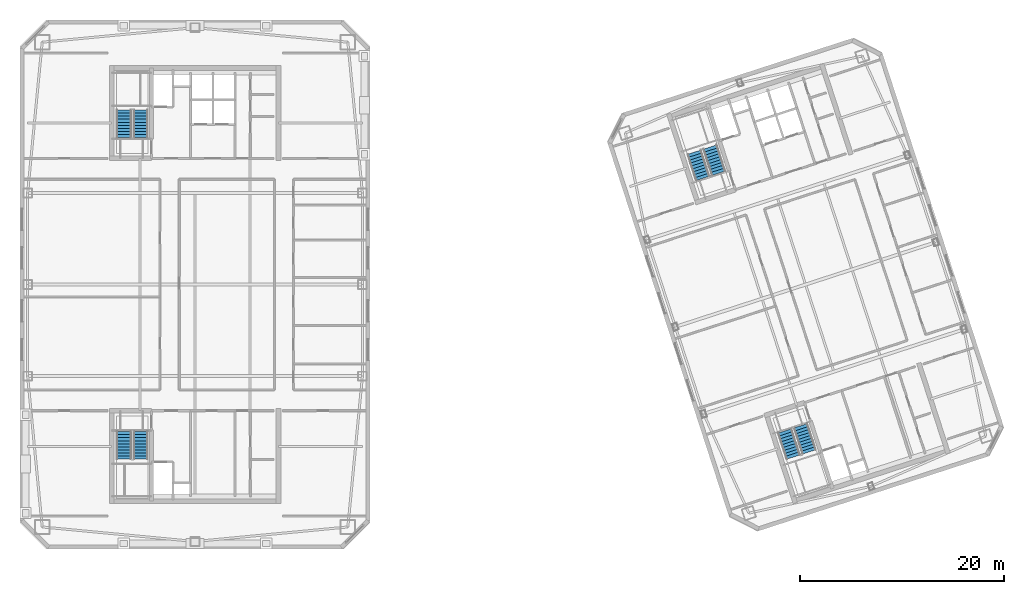
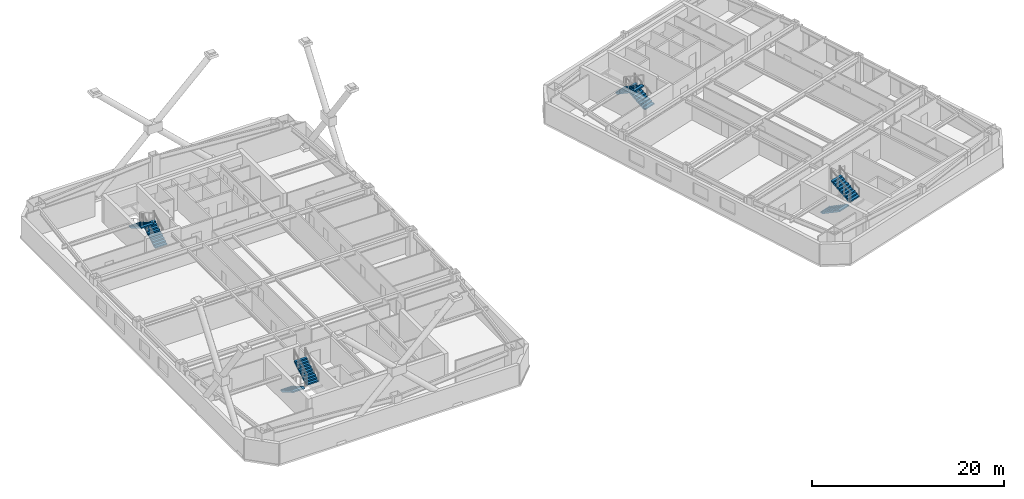
# One storey, part 23 of 25: 8 stair flights, 4 elements without a shape of their own.
"""IFC4 building model written with IfcOpenShell, lengths in metres."""

from ifc_helpers import new_model, si_unit, direction, frame, origin, place, context, subcontext, project, spatial, polyline, outline, extrude, material, type_object, element, aggregate, save


model = new_model("IFC4")

# Units and contexts
model_context = context("Model", 3, precision=1e-05, world=origin(), true_north=direction((0.0, 1.0)))
body_context = subcontext(model_context, "Body", "Model", "MODEL_VIEW")
ifc_project = project(units=[si_unit("LENGTHUNIT", "METRE"), si_unit("AREAUNIT", "SQUARE_METRE"), si_unit("VOLUMEUNIT", "CUBIC_METRE"), si_unit("PLANEANGLEUNIT", "RADIAN"), si_unit("MASSUNIT", "GRAM", prefix="KILO")], contexts=[model_context])

# Site, building, storey
site_placement = place(None, origin())
site = spatial("IfcSite", under=ifc_project, at=site_placement, CompositionType="ELEMENT")
building_placement = place(site_placement, origin())
building = spatial("IfcBuilding", under=site, at=building_placement, Name="Qiaolan Cultural Towers", CompositionType="ELEMENT")
storey_placement = place(building_placement, frame((0.0, 0.0, 202.39990234375)))
storey = spatial("IfcBuildingStorey", under=building, at=storey_placement, Name="L54", CompositionType="ELEMENT", Elevation=202.39990234375)

# Stair, stair flights
ifc_material_1 = material(Name="Concrete C45", Category="concrete")
stair_type = type_object("IfcStairType", Name="STR-CORE-1500", PredefinedType="HALF_TURN_STAIR", material=ifc_material_1)
stair_1_placement = place(storey_placement, origin())
stair_1 = element("IfcStair", 1, at=stair_1_placement, inside=storey, type_object=stair_type, Name="L54 Smokeproof Exit Stair ST-W1", PredefinedType="HALF_TURN_STAIR")
ifc_material_2 = material(Name="Concrete C45", Category="concrete")
stair_flight_type = type_object("IfcStairFlightType", Name="STR-CORE-1500-FL", PredefinedType="STRAIGHT", material=ifc_material_2)
stair_flight_1_placement = place(storey_placement, frame((23.02001953125, 19.550048828125, 0.0), z_axis=(0.0, 0.0, 1.0), x_axis=(0.0, -1.0, 0.0)))
stair_flight_1 = element("IfcStairFlight", 2, at=stair_flight_1_placement, type_object=stair_flight_type, Name="ST-W1 flight 1", NumberOfRisers=10, NumberOfTreads=9, PredefinedType="STRAIGHT", RiserHeight=0.1725, TreadLength=0.3, context=body_context, shape_type="SweptSolid", body=[
    extrude(outline(polyline([(0.0, 0.0), (0.0, 0.172607421875), (0.300048828125, 0.172607421875), (0.300048828125, 0.344970703125), (0.60009765625, 0.344970703125), (0.60009765625, 0.517578125), (0.89990234375, 0.517578125), (0.89990234375, 0.68994140625), (1.199951171875, 0.68994140625), (1.199951171875, 0.862548828125), (1.5, 0.862548828125), (1.5, 1.034912109375), (1.800048828125, 1.034912109375), (1.800048828125, 1.20751953125), (2.10009765625, 1.20751953125), (2.10009765625, 1.3798828125), (2.39990234375, 1.3798828125), (2.39990234375, 1.552490234375), (2.699951171875, 1.552490234375), (2.699951171875, 1.72509765625), (2.699951171875, 1.379638671875), (0.30078125, 0.0), (0.0, 0.0)])), frame((0.0, 0.719970703125, 0.0), z_axis=(0.0, -1.0, 0.0), x_axis=(1.0, 0.0, 0.0)), (0.0, 0.0, 1.0), 1.43994140625),
])
stair_flight_2_placement = place(storey_placement, frame((24.659912109375, 16.85009765625, 1.72509765625), z_axis=(0.0, 0.0, 1.0), x_axis=(0.0, 1.0, 0.0)))
stair_flight_2 = element("IfcStairFlight", 3, at=stair_flight_2_placement, type_object=stair_flight_type, Name="ST-W1 flight 2", NumberOfRisers=10, NumberOfTreads=9, PredefinedType="STRAIGHT", RiserHeight=0.1725, TreadLength=0.3, context=body_context, shape_type="SweptSolid", body=[
    extrude(outline(polyline([(0.0, 0.0), (0.0, 0.172607421875), (0.300048828125, 0.172607421875), (0.300048828125, 0.344970703125), (0.60009765625, 0.344970703125), (0.60009765625, 0.517578125), (0.89990234375, 0.517578125), (0.89990234375, 0.68994140625), (1.199951171875, 0.68994140625), (1.199951171875, 0.862548828125), (1.5, 0.862548828125), (1.5, 1.034912109375), (1.800048828125, 1.034912109375), (1.800048828125, 1.20751953125), (2.10009765625, 1.20751953125), (2.10009765625, 1.3798828125), (2.39990234375, 1.3798828125), (2.39990234375, 1.552490234375), (2.699951171875, 1.552490234375), (2.699951171875, 1.72509765625), (2.699951171875, 1.379638671875), (0.30078125, 0.0), (0.0, 0.0)])), frame((0.0, 0.719970703125, 0.0), z_axis=(0.0, -1.0, 0.0), x_axis=(1.0, 0.0, 0.0)), (0.0, 0.0, 1.0), 1.43994140625),
])
aggregate(stair_1, [stair_flight_1, stair_flight_2])

stair_2_placement = place(storey_placement, origin())
stair_2 = element("IfcStair", 4, at=stair_2_placement, inside=storey, type_object=stair_type, Name="L54 Smokeproof Exit Stair ST-W2", PredefinedType="HALF_TURN_STAIR")
stair_flight_3_placement = place(storey_placement, frame((24.659912109375, 48.449951171875, 0.0), z_axis=(0.0, 0.0, 1.0), x_axis=(0.0, 1.0, 0.0)))
stair_flight_3 = element("IfcStairFlight", 5, at=stair_flight_3_placement, type_object=stair_flight_type, Name="ST-W2 flight 1", NumberOfRisers=10, NumberOfTreads=9, PredefinedType="STRAIGHT", RiserHeight=0.1725, TreadLength=0.3, context=body_context, shape_type="SweptSolid", body=[
    extrude(outline(polyline([(0.0, 0.0), (0.0, 0.172607421875), (0.300048828125, 0.172607421875), (0.300048828125, 0.344970703125), (0.60009765625, 0.344970703125), (0.60009765625, 0.517578125), (0.89990234375, 0.517578125), (0.89990234375, 0.68994140625), (1.199951171875, 0.68994140625), (1.199951171875, 0.862548828125), (1.5, 0.862548828125), (1.5, 1.034912109375), (1.800048828125, 1.034912109375), (1.800048828125, 1.20751953125), (2.10009765625, 1.20751953125), (2.10009765625, 1.3798828125), (2.39990234375, 1.3798828125), (2.39990234375, 1.552490234375), (2.699951171875, 1.552490234375), (2.699951171875, 1.72509765625), (2.699951171875, 1.379638671875), (0.30078125, 0.0), (0.0, 0.0)])), frame((0.0, 0.719970703125, 0.0), z_axis=(0.0, -1.0, 0.0), x_axis=(1.0, 0.0, 0.0)), (0.0, 0.0, 1.0), 1.43994140625),
])
stair_flight_4_placement = place(storey_placement, frame((23.02001953125, 51.14990234375, 1.72509765625), z_axis=(0.0, 0.0, 1.0), x_axis=(0.0, -1.0, 0.0)))
stair_flight_4 = element("IfcStairFlight", 6, at=stair_flight_4_placement, type_object=stair_flight_type, Name="ST-W2 flight 2", NumberOfRisers=10, NumberOfTreads=9, PredefinedType="STRAIGHT", RiserHeight=0.1725, TreadLength=0.3, context=body_context, shape_type="SweptSolid", body=[
    extrude(outline(polyline([(0.0, 0.0), (0.0, 0.172607421875), (0.300048828125, 0.172607421875), (0.300048828125, 0.344970703125), (0.60009765625, 0.344970703125), (0.60009765625, 0.517578125), (0.89990234375, 0.517578125), (0.89990234375, 0.68994140625), (1.199951171875, 0.68994140625), (1.199951171875, 0.862548828125), (1.5, 0.862548828125), (1.5, 1.034912109375), (1.800048828125, 1.034912109375), (1.800048828125, 1.20751953125), (2.10009765625, 1.20751953125), (2.10009765625, 1.3798828125), (2.39990234375, 1.3798828125), (2.39990234375, 1.552490234375), (2.699951171875, 1.552490234375), (2.699951171875, 1.72509765625), (2.699951171875, 1.379638671875), (0.30078125, 0.0), (0.0, 0.0)])), frame((0.0, 0.719970703125, 0.0), z_axis=(0.0, -1.0, 0.0), x_axis=(1.0, 0.0, 0.0)), (0.0, 0.0, 1.0), 1.43994140625),
])
aggregate(stair_2, [stair_flight_3, stair_flight_4])

stair_3_placement = place(storey_placement, origin())
stair_3 = element("IfcStair", 7, at=stair_3_placement, inside=storey, type_object=stair_type, Name="L54 Smokeproof Exit Stair ST-E1", PredefinedType="HALF_TURN_STAIR")
stair_flight_5_placement = place(storey_placement, frame((87.96484375, 19.6171875, 0.0), z_axis=(0.0, 0.0, 1.0), x_axis=(0.309016994375, -0.951056516295, 0.0)))
stair_flight_5 = element("IfcStairFlight", 8, at=stair_flight_5_placement, type_object=stair_flight_type, Name="ST-E1 flight 1", NumberOfRisers=10, NumberOfTreads=9, PredefinedType="STRAIGHT", RiserHeight=0.1725, TreadLength=0.3, context=body_context, shape_type="SweptSolid", body=[
    extrude(outline(polyline([(0.0, 0.0), (0.0, 0.172607421875), (0.300048828125, 0.172607421875), (0.300048828125, 0.344970703125), (0.60009765625, 0.344970703125), (0.60009765625, 0.517578125), (0.89990234375, 0.517578125), (0.89990234375, 0.68994140625), (1.199951171875, 0.68994140625), (1.199951171875, 0.862548828125), (1.5, 0.862548828125), (1.5, 1.034912109375), (1.800048828125, 1.034912109375), (1.800048828125, 1.20751953125), (2.10009765625, 1.20751953125), (2.10009765625, 1.3798828125), (2.39990234375, 1.3798828125), (2.39990234375, 1.552490234375), (2.699951171875, 1.552490234375), (2.699951171875, 1.72509765625), (2.699951171875, 1.379638671875), (0.30078125, 0.0), (0.0, 0.0)])), frame((0.0, 0.719970703125, 0.0), z_axis=(0.0, -1.0, 0.0), x_axis=(1.0, 0.0, 0.0)), (0.0, 0.0, 1.0), 1.43994140625),
])
stair_flight_6_placement = place(storey_placement, frame((90.359130859375, 17.55615234375, 1.72509765625), z_axis=(0.0, 0.0, 1.0), x_axis=(-0.309016994375, 0.951056516295, 0.0)))
stair_flight_6 = element("IfcStairFlight", 9, at=stair_flight_6_placement, type_object=stair_flight_type, Name="ST-E1 flight 2", NumberOfRisers=10, NumberOfTreads=9, PredefinedType="STRAIGHT", RiserHeight=0.1725, TreadLength=0.3, context=body_context, shape_type="SweptSolid", body=[
    extrude(outline(polyline([(0.0, 0.0), (0.0, 0.172607421875), (0.300048828125, 0.172607421875), (0.300048828125, 0.344970703125), (0.60009765625, 0.344970703125), (0.60009765625, 0.517578125), (0.89990234375, 0.517578125), (0.89990234375, 0.68994140625), (1.199951171875, 0.68994140625), (1.199951171875, 0.862548828125), (1.5, 0.862548828125), (1.5, 1.034912109375), (1.800048828125, 1.034912109375), (1.800048828125, 1.20751953125), (2.10009765625, 1.20751953125), (2.10009765625, 1.3798828125), (2.39990234375, 1.3798828125), (2.39990234375, 1.552490234375), (2.699951171875, 1.552490234375), (2.699951171875, 1.72509765625), (2.699951171875, 1.379638671875), (0.30078125, 0.0), (0.0, 0.0)])), frame((0.0, 0.719970703125, 0.0), z_axis=(0.0, -1.0, 0.0), x_axis=(1.0, 0.0, 0.0)), (0.0, 0.0, 1.0), 1.43994140625),
])
aggregate(stair_3, [stair_flight_5, stair_flight_6])

stair_4_placement = place(storey_placement, origin())
stair_4 = element("IfcStair", 10, at=stair_4_placement, inside=storey, type_object=stair_type, Name="L54 Smokeproof Exit Stair ST-E2", PredefinedType="HALF_TURN_STAIR")
stair_flight_7_placement = place(storey_placement, frame((81.459228515625, 44.946533203125, 0.0), z_axis=(0.0, 0.0, 1.0), x_axis=(-0.309016994375, 0.951056516295, 0.0)))
stair_flight_7 = element("IfcStairFlight", 11, at=stair_flight_7_placement, type_object=stair_flight_type, Name="ST-E2 flight 1", NumberOfRisers=10, NumberOfTreads=9, PredefinedType="STRAIGHT", RiserHeight=0.1725, TreadLength=0.3, context=body_context, shape_type="SweptSolid", body=[
    extrude(outline(polyline([(0.0, 0.0), (0.0, 0.172607421875), (0.300048828125, 0.172607421875), (0.300048828125, 0.344970703125), (0.60009765625, 0.344970703125), (0.60009765625, 0.517578125), (0.89990234375, 0.517578125), (0.89990234375, 0.68994140625), (1.199951171875, 0.68994140625), (1.199951171875, 0.862548828125), (1.5, 0.862548828125), (1.5, 1.034912109375), (1.800048828125, 1.034912109375), (1.800048828125, 1.20751953125), (2.10009765625, 1.20751953125), (2.10009765625, 1.3798828125), (2.39990234375, 1.3798828125), (2.39990234375, 1.552490234375), (2.699951171875, 1.552490234375), (2.699951171875, 1.72509765625), (2.699951171875, 1.379638671875), (0.30078125, 0.0), (0.0, 0.0)])), frame((0.0, 0.719970703125, 0.0), z_axis=(0.0, -1.0, 0.0), x_axis=(1.0, 0.0, 0.0)), (0.0, 0.0, 1.0), 1.43994140625),
])
stair_flight_8_placement = place(storey_placement, frame((79.065185546875, 47.007568359375, 1.72509765625), z_axis=(0.0, 0.0, 1.0), x_axis=(0.309016994375, -0.951056516295, 0.0)))
stair_flight_8 = element("IfcStairFlight", 12, at=stair_flight_8_placement, type_object=stair_flight_type, Name="ST-E2 flight 2", NumberOfRisers=10, NumberOfTreads=9, PredefinedType="STRAIGHT", RiserHeight=0.1725, TreadLength=0.3, context=body_context, shape_type="SweptSolid", body=[
    extrude(outline(polyline([(0.0, 0.0), (0.0, 0.172607421875), (0.300048828125, 0.172607421875), (0.300048828125, 0.344970703125), (0.60009765625, 0.344970703125), (0.60009765625, 0.517578125), (0.89990234375, 0.517578125), (0.89990234375, 0.68994140625), (1.199951171875, 0.68994140625), (1.199951171875, 0.862548828125), (1.5, 0.862548828125), (1.5, 1.034912109375), (1.800048828125, 1.034912109375), (1.800048828125, 1.20751953125), (2.10009765625, 1.20751953125), (2.10009765625, 1.3798828125), (2.39990234375, 1.3798828125), (2.39990234375, 1.552490234375), (2.699951171875, 1.552490234375), (2.699951171875, 1.72509765625), (2.699951171875, 1.379638671875), (0.30078125, 0.0), (0.0, 0.0)])), frame((0.0, 0.719970703125, 0.0), z_axis=(0.0, -1.0, 0.0), x_axis=(1.0, 0.0, 0.0)), (0.0, 0.0, 1.0), 1.43994140625),
])
aggregate(stair_4, [stair_flight_7, stair_flight_8])

save(model, "model.ifc")
